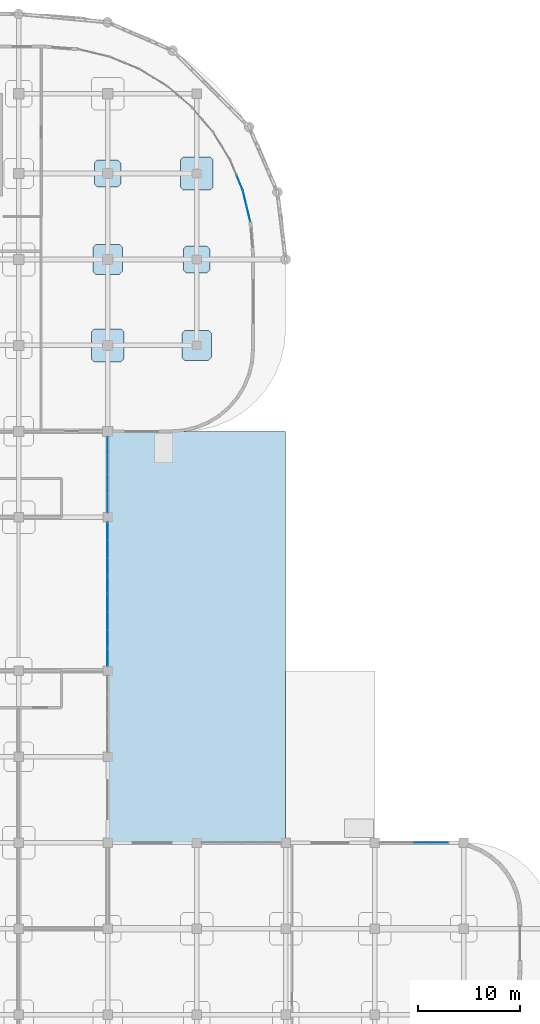
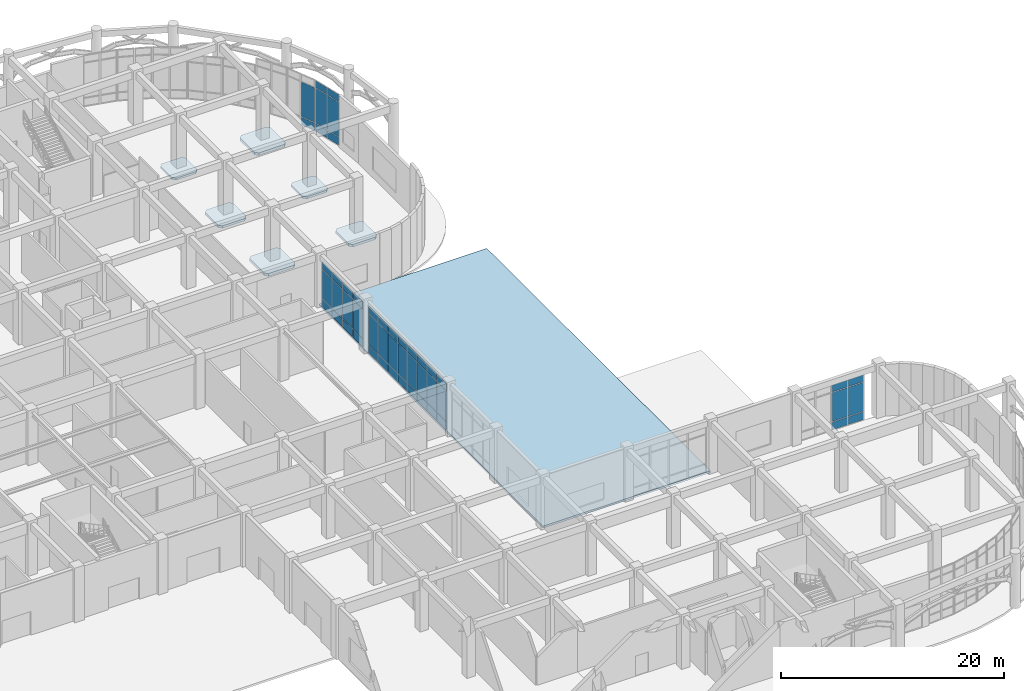
# One storey, part 58 of 82: 50 plates, 7 slabs, 6 elements without a shape of their own.
"""IFC4 building model written with IfcOpenShell, lengths in metres."""

from ifc_helpers import new_model, si_unit, derived_unit, direction, frame, origin, origin_2d, place, context, subcontext, project, spatial, polyline, rectangle, outline, extrude, material, layer, layer_set, type_object, element, aggregate, save


model = new_model("IFC4")

# Units and contexts
model_context = context("Model", 3, precision=1e-05, world=origin(), true_north=direction((0.0, 1.0)))
body_context = subcontext(model_context, "Body", "Model", "MODEL_VIEW")
ifc_project = project(units=[si_unit("LENGTHUNIT", "METRE"), si_unit("AREAUNIT", "SQUARE_METRE"), si_unit("VOLUMEUNIT", "CUBIC_METRE"), si_unit("PLANEANGLEUNIT", "RADIAN"), si_unit("MASSUNIT", "GRAM", prefix="KILO"), derived_unit("THERMALTRANSMITTANCEUNIT", [(si_unit("MASSUNIT", "GRAM", prefix="KILO"), 1), (si_unit("TIMEUNIT", "SECOND"), -3), (si_unit("THERMODYNAMICTEMPERATUREUNIT", "KELVIN"), -1)])], contexts=[model_context])

# Site, building, storey
site_placement = place(None, origin())
site = spatial("IfcSite", under=ifc_project, at=site_placement, CompositionType="ELEMENT")
building_placement = place(site_placement, origin())
building = spatial("IfcBuilding", under=site, at=building_placement, Name="Qinzheling Arcade Emporium", CompositionType="ELEMENT")
storey_placement = place(building_placement, origin())
storey = spatial("IfcBuildingStorey", under=building, at=storey_placement, Name="L01", CompositionType="ELEMENT", Elevation=0.0)

# Slabs
ifc_material_1 = material(Name="Concrete C40", Category="concrete")
ifc_layer_1 = layer(ifc_material_1, 0.235107421875, Name="Concrete C40", Category="concrete")
ifc_layer_set_1 = layer_set([ifc_layer_1], Name="Concrete C40")
slab_type_1 = type_object("IfcSlabType", Name="Column Head Drop Panel 2600x2600x235 C40", PredefinedType="USERDEFINED", material=ifc_layer_set_1)
slab_1_placement = place(storey_placement, frame((0.0, 0.0, -0.574951171875)))
element("IfcSlab", 1, at=slab_1_placement, inside=storey, type_object=slab_type_1, Name="Column Drop Panel DP-L01-16-M", ObjectType="DROP_PANEL", PredefinedType="USERDEFINED", context=body_context, shape_type="SweptSolid", body=[
    extrude(outline(polyline([(129.47998046875, 97.699951171875), (131.52001953125, 97.699951171875), (131.800048828125, 97.97998046875), (131.800048828125, 100.02001953125), (131.52001953125, 100.300048828125), (129.47998046875, 100.300048828125), (129.199951171875, 100.02001953125), (129.199951171875, 97.97998046875), (129.47998046875, 97.699951171875)])), origin(), (0.0, 0.0, 1.0), 0.23486328125),
])
slab_2_placement = place(storey_placement, frame((0.0, 0.0, -0.574951171875)))
element("IfcSlab", 2, at=slab_2_placement, inside=storey, type_object=slab_type_1, Name="Column Drop Panel DP-L01-17-L", ObjectType="DROP_PANEL", PredefinedType="USERDEFINED", context=body_context, shape_type="SweptSolid", body=[
    extrude(outline(polyline([(138.179931640625, 89.300048828125), (140.219970703125, 89.300048828125), (140.5, 89.580078125), (140.5, 91.6201171875), (140.219970703125, 91.89990234375), (138.179931640625, 91.89990234375), (137.89990234375, 91.6201171875), (137.89990234375, 89.580078125), (138.179931640625, 89.300048828125)])), origin(), (0.0, 0.0, 1.0), 0.23486328125),
])
ifc_layer_2 = layer(ifc_material_1, 0.27001953125, Name="Concrete C40", Category="concrete")
ifc_layer_set_2 = layer_set([ifc_layer_2], Name="Concrete C40")
slab_type_2 = type_object("IfcSlabType", Name="Column Head Drop Panel 2900x2900x270 C40", PredefinedType="USERDEFINED", material=ifc_layer_set_2)
slab_3_placement = place(storey_placement, frame((0.0, 0.0, -0.610107421875)))
element("IfcSlab", 3, at=slab_3_placement, inside=storey, type_object=slab_type_2, Name="Column Drop Panel DP-L01-16-L", ObjectType="DROP_PANEL", PredefinedType="USERDEFINED", context=body_context, shape_type="SweptSolid", body=[
    extrude(outline(polyline([(129.330078125, 89.14990234375), (131.669921875, 89.14990234375), (131.949951171875, 89.429931640625), (131.949951171875, 91.77001953125), (131.669921875, 92.050048828125), (129.330078125, 92.050048828125), (129.050048828125, 91.77001953125), (129.050048828125, 89.429931640625), (129.330078125, 89.14990234375)])), origin(), (0.0, 0.0, 1.0), 0.27001953125),
])
slab_4_placement = place(storey_placement, frame((0.0, 0.0, -0.610107421875)))
element("IfcSlab", 4, at=slab_4_placement, inside=storey, type_object=slab_type_2, Name="Column Drop Panel DP-L01-17-K", ObjectType="DROP_PANEL", PredefinedType="USERDEFINED", context=body_context, shape_type="SweptSolid", body=[
    extrude(outline(polyline([(138.030029296875, 80.75), (140.3701171875, 80.75), (140.64990234375, 81.030029296875), (140.64990234375, 83.3701171875), (140.3701171875, 83.64990234375), (138.030029296875, 83.64990234375), (137.75, 83.3701171875), (137.75, 81.030029296875), (138.030029296875, 80.75)])), origin(), (0.0, 0.0, 1.0), 0.27001953125),
])
ifc_layer_3 = layer(ifc_material_1, 0.300048828125, Name="Concrete C40", Category="concrete")
ifc_layer_set_3 = layer_set([ifc_layer_3], Name="Concrete C40")
slab_type_3 = type_object("IfcSlabType", Name="Column Head Drop Panel 3200x3200x300 C40", PredefinedType="USERDEFINED", material=ifc_layer_set_3)
slab_5_placement = place(storey_placement, frame((0.0, 0.0, -0.639892578125)))
element("IfcSlab", 5, at=slab_5_placement, inside=storey, type_object=slab_type_3, Name="Column Drop Panel DP-L01-16-K", ObjectType="DROP_PANEL", PredefinedType="USERDEFINED", context=body_context, shape_type="SweptSolid", body=[
    extrude(outline(polyline([(129.179931640625, 80.60009765625), (131.820068359375, 80.60009765625), (132.10009765625, 80.8798828125), (132.10009765625, 83.52001953125), (131.820068359375, 83.800048828125), (129.179931640625, 83.800048828125), (128.89990234375, 83.52001953125), (128.89990234375, 80.8798828125), (129.179931640625, 80.60009765625)])), origin(), (0.0, 0.0, 1.0), 0.2998046875),
])
slab_6_placement = place(storey_placement, frame((0.0, 0.0, -0.639892578125)))
element("IfcSlab", 6, at=slab_6_placement, inside=storey, type_object=slab_type_3, Name="Column Drop Panel DP-L01-17-M", ObjectType="DROP_PANEL", PredefinedType="USERDEFINED", context=body_context, shape_type="SweptSolid", body=[
    extrude(outline(polyline([(137.8798828125, 97.39990234375), (140.52001953125, 97.39990234375), (140.800048828125, 97.679931640625), (140.800048828125, 100.320068359375), (140.52001953125, 100.60009765625), (137.8798828125, 100.60009765625), (137.60009765625, 100.320068359375), (137.60009765625, 97.679931640625), (137.8798828125, 97.39990234375)])), origin(), (0.0, 0.0, 1.0), 0.2998046875),
])
ifc_layer_4 = layer(ifc_material_1, 0.219970703125, Name="Concrete C40", Category="concrete")
ifc_layer_set_4 = layer_set([ifc_layer_4], Name="Concrete C40")
slab_type_4 = type_object("IfcSlabType", Name="Exterior Entry Driveway Paving Slab 220 C40", PredefinedType="FLOOR", material=ifc_layer_set_4)
slab_7_placement = place(storey_placement, frame((0.0, 0.0, -0.219970703125)))
element("IfcSlab", 7, at=slab_7_placement, inside=storey, type_object=slab_type_4, Name="Arcade and Court Paving SLB-L01-COURT-E-ARCADE", PredefinedType="FLOOR", context=body_context, shape_type="SweptSolid", body=[
    extrude(outline(polyline([(147.89990234375, 33.60009765625), (147.89990234375, 73.800048828125), (130.5, 73.800048828125), (130.5, 33.60009765625), (147.89990234375, 33.60009765625)])), origin(), (0.0, 0.0, 1.0), 0.219970703125),
])

# Curtain wall, plates
ifc_material_2 = material(Name="Anodised aluminium and solar-control double glazing", Category="aluminium")
ifc_layer_5 = layer(ifc_material_2, 0.159912109375, Name="Anodised aluminium and solar-control double glazing", Category="aluminium")
ifc_layer_set_5 = layer_set([ifc_layer_5], Name="Anodised aluminium and solar-control double glazing")
curtain_wall_type_1 = type_object("IfcCurtainWallType", Name="Food Hall Loggia Curtain Wall", PredefinedType="NOTDEFINED", material=ifc_layer_set_5)
curtain_wall_1_placement = place(storey_placement, origin())
curtain_wall_1 = element("IfcCurtainWall", 8, at=curtain_wall_1_placement, inside=storey, type_object=curtain_wall_type_1, Name="Curtain Wall CW-L01-048", PredefinedType="NOTDEFINED")
ifc_material_3 = material(Name="Laminated solar-control double glazing", Category="glass")
ifc_layer_6 = layer(ifc_material_3, 0.02099609375, Name="Laminated solar-control double glazing", Category="glass")
ifc_layer_set_6 = layer_set([ifc_layer_6], Name="Laminated solar-control double glazing")
plate_type_1 = type_object("IfcPlateType", Name="Low-E Double Glazed Curtain Panel 21mm", PredefinedType="CURTAIN_PANEL", material=ifc_layer_set_6)
plate_1_placement = place(storey_placement, frame((161.26953125, 33.60009765625, 0.06005859375), z_axis=(0.0, 0.0, 1.0), x_axis=(1.0, 0.0, 0.0)))
plate_1 = element("IfcPlate", 9, at=plate_1_placement, type_object=plate_type_1, Name="CW04 panel 3.1", PredefinedType="CURTAIN_PANEL", context=body_context, shape_type="SweptSolid", body=[
    extrude(rectangle(XDim=1.626953125, YDim=0.02099609375, at=origin_2d()), origin(), (0.0, 0.0, 1.0), 0.860107421875),
])
plate_2_placement = place(storey_placement, frame((161.26953125, 33.60009765625, 0.97998046875), z_axis=(0.0, 0.0, 1.0), x_axis=(1.0, 0.0, 0.0)))
plate_2 = element("IfcPlate", 10, at=plate_2_placement, type_object=plate_type_1, Name="CW04 panel 3.2", PredefinedType="CURTAIN_PANEL", context=body_context, shape_type="SweptSolid", body=[
    extrude(rectangle(XDim=1.626953125, YDim=0.02099609375, at=origin_2d()), origin(), (0.0, 0.0, 1.0), 3.179931640625),
])
plate_3_placement = place(storey_placement, frame((161.26953125, 33.60009765625, 4.22021484375), z_axis=(0.0, 0.0, 1.0), x_axis=(1.0, 0.0, 0.0)))
plate_3 = element("IfcPlate", 11, at=plate_3_placement, type_object=plate_type_1, Name="CW04 panel 3.3", PredefinedType="CURTAIN_PANEL", context=body_context, shape_type="SweptSolid", body=[
    extrude(rectangle(XDim=1.626953125, YDim=0.02099609375, at=origin_2d()), origin(), (0.0, 0.0, 1.0), 0.760009765625),
])
plate_4_placement = place(storey_placement, frame((162.94140625, 33.60009765625, 0.06005859375), z_axis=(0.0, 0.0, 1.0), x_axis=(1.0, 0.0, 0.0)))
plate_4 = element("IfcPlate", 12, at=plate_4_placement, type_object=plate_type_1, Name="CW04 panel 4.1", PredefinedType="CURTAIN_PANEL", context=body_context, shape_type="SweptSolid", body=[
    extrude(rectangle(XDim=1.596923828125, YDim=0.02099609375, at=origin_2d()), origin(), (0.0, 0.0, 1.0), 0.860107421875),
])
plate_5_placement = place(storey_placement, frame((162.94140625, 33.60009765625, 0.97998046875), z_axis=(0.0, 0.0, 1.0), x_axis=(1.0, 0.0, 0.0)))
plate_5 = element("IfcPlate", 13, at=plate_5_placement, type_object=plate_type_1, Name="CW04 panel 4.2", PredefinedType="CURTAIN_PANEL", context=body_context, shape_type="SweptSolid", body=[
    extrude(rectangle(XDim=1.596923828125, YDim=0.02099609375, at=origin_2d()), origin(), (0.0, 0.0, 1.0), 3.179931640625),
])
plate_6_placement = place(storey_placement, frame((162.94140625, 33.60009765625, 4.22021484375), z_axis=(0.0, 0.0, 1.0), x_axis=(1.0, 0.0, 0.0)))
plate_6 = element("IfcPlate", 14, at=plate_6_placement, type_object=plate_type_1, Name="CW04 panel 4.3", PredefinedType="CURTAIN_PANEL", context=body_context, shape_type="SweptSolid", body=[
    extrude(rectangle(XDim=1.596923828125, YDim=0.02099609375, at=origin_2d()), origin(), (0.0, 0.0, 1.0), 0.760009765625),
])
aggregate(curtain_wall_1, [plate_1, plate_2, plate_3, plate_4, plate_5, plate_6])

ifc_layer_7 = layer(ifc_material_2, 0.159912109375, Name="Anodised aluminium and solar-control double glazing", Category="aluminium")
ifc_layer_set_7 = layer_set([ifc_layer_7], Name="Anodised aluminium and solar-control double glazing")
curtain_wall_type_2 = type_object("IfcCurtainWallType", Name="Curved Ribbon Sales Curtain Wall", PredefinedType="NOTDEFINED", material=ifc_layer_set_7)
curtain_wall_2_placement = place(storey_placement, origin())
curtain_wall_2 = element("IfcCurtainWall", 15, at=curtain_wall_2_placement, inside=storey, type_object=curtain_wall_type_2, Name="Curtain Wall CW-L01-041", PredefinedType="NOTDEFINED")
ifc_layer_8 = layer(ifc_material_3, 0.031005859375, Name="Laminated solar-control double glazing", Category="glass")
ifc_layer_set_8 = layer_set([ifc_layer_8], Name="Laminated solar-control double glazing")
plate_type_2 = type_object("IfcPlateType", Name="Low-E Double Glazed Curtain Panel 31mm", PredefinedType="CURTAIN_PANEL", material=ifc_layer_set_8)
plate_7_placement = place(storey_placement, frame((143.3955078125, 98.12255859375, 0.06005859375), z_axis=(0.0, 0.0, 1.0), x_axis=(0.382675256043, -0.923882919212, 0.0)))
plate_7 = element("IfcPlate", 16, at=plate_7_placement, type_object=plate_type_2, Name="CW02 panel 2.1", PredefinedType="CURTAIN_PANEL", context=body_context, shape_type="SweptSolid", body=[
    extrude(rectangle(XDim=1.502685546875, YDim=0.031005859375, at=origin_2d()), origin(), (0.0, 0.0, 1.0), 0.860107421875),
])
plate_8_placement = place(storey_placement, frame((143.3955078125, 98.12255859375, 0.97998046875), z_axis=(0.0, 0.0, 1.0), x_axis=(0.382675256043, -0.923882919212, 0.0)))
plate_8 = element("IfcPlate", 17, at=plate_8_placement, type_object=plate_type_2, Name="CW02 panel 2.2", PredefinedType="CURTAIN_PANEL", context=body_context, shape_type="SweptSolid", body=[
    extrude(rectangle(XDim=1.502685546875, YDim=0.031005859375, at=origin_2d()), origin(), (0.0, 0.0, 1.0), 3.800048828125),
])
aggregate(curtain_wall_2, [plate_7, plate_8])

curtain_wall_3_placement = place(storey_placement, origin())
curtain_wall_3 = element("IfcCurtainWall", 18, at=curtain_wall_3_placement, inside=storey, type_object=curtain_wall_type_2, Name="Curtain Wall CW-L01-042", PredefinedType="NOTDEFINED")
ifc_layer_9 = layer(ifc_material_3, 0.031982421875, Name="Laminated solar-control double glazing", Category="glass")
ifc_layer_set_9 = layer_set([ifc_layer_9], Name="Laminated solar-control double glazing")
plate_type_3 = type_object("IfcPlateType", Name="Low-E Double Glazed Curtain Panel 32mm", PredefinedType="CURTAIN_PANEL", material=ifc_layer_set_9)
plate_9_placement = place(storey_placement, frame((143.8955078125, 96.584228515625, 0.06005859375), z_axis=(0.0, 0.0, 1.0), x_axis=(0.233586687032, -0.972335980843, 0.0)))
plate_9 = element("IfcPlate", 19, at=plate_9_placement, type_object=plate_type_3, Name="CW02 panel 1.1", PredefinedType="CURTAIN_PANEL", context=body_context, shape_type="SweptSolid", body=[
    extrude(rectangle(XDim=1.50244140625, YDim=0.031982421875, at=origin_2d()), origin(), (0.0, 0.0, 1.0), 0.860107421875),
])
plate_10_placement = place(storey_placement, frame((143.8955078125, 96.584228515625, 0.97998046875), z_axis=(0.0, 0.0, 1.0), x_axis=(0.233586687032, -0.972335980843, 0.0)))
plate_10 = element("IfcPlate", 20, at=plate_10_placement, type_object=plate_type_3, Name="CW02 panel 1.2", PredefinedType="CURTAIN_PANEL", context=body_context, shape_type="SweptSolid", body=[
    extrude(rectangle(XDim=1.50244140625, YDim=0.031982421875, at=origin_2d()), origin(), (0.0, 0.0, 1.0), 3.800048828125),
])
plate_11_placement = place(storey_placement, frame((143.8955078125, 96.584228515625, 4.83984375), z_axis=(0.0, 0.0, 1.0), x_axis=(0.233586687032, -0.972335980843, 0.0)))
plate_11 = element("IfcPlate", 21, at=plate_11_placement, type_object=plate_type_3, Name="CW02 panel 1.3", PredefinedType="CURTAIN_PANEL", context=body_context, shape_type="SweptSolid", body=[
    extrude(rectangle(XDim=1.50244140625, YDim=0.031982421875, at=origin_2d()), origin(), (0.0, 0.0, 1.0), 0.760009765625),
])
plate_12_placement = place(storey_placement, frame((144.260498046875, 95.06494140625, 0.06005859375), z_axis=(0.0, 0.0, 1.0), x_axis=(0.233586687032, -0.972335980843, 0.0)))
plate_12 = element("IfcPlate", 22, at=plate_12_placement, type_object=plate_type_3, Name="CW02 panel 2.1", PredefinedType="CURTAIN_PANEL", context=body_context, shape_type="SweptSolid", body=[
    extrude(rectangle(XDim=1.50244140625, YDim=0.031982421875, at=origin_2d()), origin(), (0.0, 0.0, 1.0), 0.860107421875),
])
plate_13_placement = place(storey_placement, frame((144.260498046875, 95.06494140625, 0.97998046875), z_axis=(0.0, 0.0, 1.0), x_axis=(0.233586687032, -0.972335980843, 0.0)))
plate_13 = element("IfcPlate", 23, at=plate_13_placement, type_object=plate_type_3, Name="CW02 panel 2.2", PredefinedType="CURTAIN_PANEL", context=body_context, shape_type="SweptSolid", body=[
    extrude(rectangle(XDim=1.50244140625, YDim=0.031982421875, at=origin_2d()), origin(), (0.0, 0.0, 1.0), 3.800048828125),
])
plate_14_placement = place(storey_placement, frame((144.260498046875, 95.06494140625, 4.83984375), z_axis=(0.0, 0.0, 1.0), x_axis=(0.233586687032, -0.972335980843, 0.0)))
plate_14 = element("IfcPlate", 24, at=plate_14_placement, type_object=plate_type_3, Name="CW02 panel 2.3", PredefinedType="CURTAIN_PANEL", context=body_context, shape_type="SweptSolid", body=[
    extrude(rectangle(XDim=1.50244140625, YDim=0.031982421875, at=origin_2d()), origin(), (0.0, 0.0, 1.0), 0.760009765625),
])
aggregate(curtain_wall_3, [plate_9, plate_10, plate_11, plate_12, plate_13, plate_14])

ifc_layer_10 = layer(ifc_material_2, 0.159912109375, Name="Anodised aluminium and solar-control double glazing", Category="aluminium")
ifc_layer_set_10 = layer_set([ifc_layer_10], Name="Anodised aluminium and solar-control double glazing")
curtain_wall_type_3 = type_object("IfcCurtainWallType", Name="Street Arcade Stick Curtain Wall", PredefinedType="NOTDEFINED", material=ifc_layer_set_10)
curtain_wall_4_placement = place(storey_placement, origin())
curtain_wall_4 = element("IfcCurtainWall", 25, at=curtain_wall_4_placement, inside=storey, type_object=curtain_wall_type_3, Name="Curtain Wall CW-L01-043", PredefinedType="NOTDEFINED")
ifc_layer_11 = layer(ifc_material_3, 0.033935546875, Name="Laminated solar-control double glazing", Category="glass")
ifc_layer_set_11 = layer_set([ifc_layer_11], Name="Laminated solar-control double glazing")
plate_type_4 = type_object("IfcPlateType", Name="Low-E Double Glazed Curtain Panel 34mm", PredefinedType="CURTAIN_PANEL", material=ifc_layer_set_11)
plate_15_placement = place(storey_placement, frame((130.5, 72.352294921875, 0.06005859375), z_axis=(0.0, 0.0, 1.0), x_axis=(0.0, -1.0, 0.0)))
plate_15 = element("IfcPlate", 26, at=plate_15_placement, type_object=plate_type_4, Name="CW01 panel 1.1", PredefinedType="CURTAIN_PANEL", context=body_context, shape_type="SweptSolid", body=[
    extrude(rectangle(XDim=1.771484375, YDim=0.033935546875, at=origin_2d()), origin(), (0.0, 0.0, 1.0), 0.860107421875),
])
plate_16_placement = place(storey_placement, frame((130.5, 72.352294921875, 0.97998046875), z_axis=(0.0, 0.0, 1.0), x_axis=(0.0, -1.0, 0.0)))
plate_16 = element("IfcPlate", 27, at=plate_16_placement, type_object=plate_type_4, Name="CW01 panel 1.2", PredefinedType="CURTAIN_PANEL", context=body_context, shape_type="SweptSolid", body=[
    extrude(rectangle(XDim=1.771484375, YDim=0.033935546875, at=origin_2d()), origin(), (0.0, 0.0, 1.0), 3.195068359375),
])
plate_17_placement = place(storey_placement, frame((130.5, 72.352294921875, 4.23486328125), z_axis=(0.0, 0.0, 1.0), x_axis=(0.0, -1.0, 0.0)))
plate_17 = element("IfcPlate", 28, at=plate_17_placement, type_object=plate_type_4, Name="CW01 panel 1.3", PredefinedType="CURTAIN_PANEL", context=body_context, shape_type="SweptSolid", body=[
    extrude(rectangle(XDim=1.771484375, YDim=0.033935546875, at=origin_2d()), origin(), (0.0, 0.0, 1.0), 0.760009765625),
])
plate_18_placement = place(storey_placement, frame((130.5, 70.505859375, 0.06005859375), z_axis=(0.0, 0.0, 1.0), x_axis=(0.0, -1.0, 0.0)))
plate_18 = element("IfcPlate", 29, at=plate_18_placement, type_object=plate_type_4, Name="CW01 panel 2.1", PredefinedType="CURTAIN_PANEL", context=body_context, shape_type="SweptSolid", body=[
    extrude(rectangle(XDim=1.801513671875, YDim=0.033935546875, at=origin_2d()), origin(), (0.0, 0.0, 1.0), 0.860107421875),
])
plate_19_placement = place(storey_placement, frame((130.5, 70.505859375, 0.97998046875), z_axis=(0.0, 0.0, 1.0), x_axis=(0.0, -1.0, 0.0)))
plate_19 = element("IfcPlate", 30, at=plate_19_placement, type_object=plate_type_4, Name="CW01 panel 2.2", PredefinedType="CURTAIN_PANEL", context=body_context, shape_type="SweptSolid", body=[
    extrude(rectangle(XDim=1.801513671875, YDim=0.033935546875, at=origin_2d()), origin(), (0.0, 0.0, 1.0), 3.195068359375),
])
plate_20_placement = place(storey_placement, frame((130.5, 70.505859375, 4.23486328125), z_axis=(0.0, 0.0, 1.0), x_axis=(0.0, -1.0, 0.0)))
plate_20 = element("IfcPlate", 31, at=plate_20_placement, type_object=plate_type_4, Name="CW01 panel 2.3", PredefinedType="CURTAIN_PANEL", context=body_context, shape_type="SweptSolid", body=[
    extrude(rectangle(XDim=1.801513671875, YDim=0.033935546875, at=origin_2d()), origin(), (0.0, 0.0, 1.0), 0.760009765625),
])
plate_21_placement = place(storey_placement, frame((130.5, 68.644287109375, 0.06005859375), z_axis=(0.0, 0.0, 1.0), x_axis=(0.0, -1.0, 0.0)))
plate_21 = element("IfcPlate", 32, at=plate_21_placement, type_object=plate_type_4, Name="CW01 panel 3.1", PredefinedType="CURTAIN_PANEL", context=body_context, shape_type="SweptSolid", body=[
    extrude(rectangle(XDim=1.801513671875, YDim=0.033935546875, at=origin_2d()), origin(), (0.0, 0.0, 1.0), 0.860107421875),
])
plate_22_placement = place(storey_placement, frame((130.5, 68.644287109375, 0.97998046875), z_axis=(0.0, 0.0, 1.0), x_axis=(0.0, -1.0, 0.0)))
plate_22 = element("IfcPlate", 33, at=plate_22_placement, type_object=plate_type_4, Name="CW01 panel 3.2", PredefinedType="CURTAIN_PANEL", context=body_context, shape_type="SweptSolid", body=[
    extrude(rectangle(XDim=1.801513671875, YDim=0.033935546875, at=origin_2d()), origin(), (0.0, 0.0, 1.0), 3.195068359375),
])
plate_23_placement = place(storey_placement, frame((130.5, 68.644287109375, 4.23486328125), z_axis=(0.0, 0.0, 1.0), x_axis=(0.0, -1.0, 0.0)))
plate_23 = element("IfcPlate", 34, at=plate_23_placement, type_object=plate_type_4, Name="CW01 panel 3.3", PredefinedType="CURTAIN_PANEL", context=body_context, shape_type="SweptSolid", body=[
    extrude(rectangle(XDim=1.801513671875, YDim=0.033935546875, at=origin_2d()), origin(), (0.0, 0.0, 1.0), 0.760009765625),
])
plate_24_placement = place(storey_placement, frame((130.5, 66.7978515625, 0.06005859375), z_axis=(0.0, 0.0, 1.0), x_axis=(0.0, -1.0, 0.0)))
plate_24 = element("IfcPlate", 35, at=plate_24_placement, type_object=plate_type_4, Name="CW01 panel 4.1", PredefinedType="CURTAIN_PANEL", context=body_context, shape_type="SweptSolid", body=[
    extrude(rectangle(XDim=1.771484375, YDim=0.033935546875, at=origin_2d()), origin(), (0.0, 0.0, 1.0), 0.860107421875),
])
plate_25_placement = place(storey_placement, frame((130.5, 66.7978515625, 0.97998046875), z_axis=(0.0, 0.0, 1.0), x_axis=(0.0, -1.0, 0.0)))
plate_25 = element("IfcPlate", 36, at=plate_25_placement, type_object=plate_type_4, Name="CW01 panel 4.2", PredefinedType="CURTAIN_PANEL", context=body_context, shape_type="SweptSolid", body=[
    extrude(rectangle(XDim=1.771484375, YDim=0.033935546875, at=origin_2d()), origin(), (0.0, 0.0, 1.0), 3.195068359375),
])
plate_26_placement = place(storey_placement, frame((130.5, 66.7978515625, 4.23486328125), z_axis=(0.0, 0.0, 1.0), x_axis=(0.0, -1.0, 0.0)))
plate_26 = element("IfcPlate", 37, at=plate_26_placement, type_object=plate_type_4, Name="CW01 panel 4.3", PredefinedType="CURTAIN_PANEL", context=body_context, shape_type="SweptSolid", body=[
    extrude(rectangle(XDim=1.771484375, YDim=0.033935546875, at=origin_2d()), origin(), (0.0, 0.0, 1.0), 0.760009765625),
])
aggregate(curtain_wall_4, [plate_15, plate_16, plate_17, plate_18, plate_19, plate_20, plate_21, plate_22, plate_23, plate_24, plate_25, plate_26])

curtain_wall_5_placement = place(storey_placement, origin())
curtain_wall_5 = element("IfcCurtainWall", 38, at=curtain_wall_5_placement, inside=storey, type_object=curtain_wall_type_3, Name="Curtain Wall CW-L01-044", PredefinedType="NOTDEFINED")
ifc_layer_12 = layer(ifc_material_3, 0.035888671875, Name="Laminated solar-control double glazing", Category="glass")
ifc_layer_set_12 = layer_set([ifc_layer_12], Name="Laminated solar-control double glazing")
plate_type_5 = type_object("IfcPlateType", Name="Low-E Double Glazed Curtain Panel 36mm", PredefinedType="CURTAIN_PANEL", material=ifc_layer_set_12)
plate_27_placement = place(storey_placement, frame((130.5, 64.05224609375, 0.06005859375), z_axis=(0.0, 0.0, 1.0), x_axis=(0.0, -1.0, 0.0)))
plate_27 = element("IfcPlate", 39, at=plate_27_placement, type_object=plate_type_5, Name="CW01 panel 1.1", PredefinedType="CURTAIN_PANEL", context=body_context, shape_type="SweptSolid", body=[
    extrude(rectangle(XDim=1.67138671875, YDim=0.035888671875, at=origin_2d()), origin(), (0.0, 0.0, 1.0), 0.860107421875),
])
plate_28_placement = place(storey_placement, frame((130.5, 64.05224609375, 0.97998046875), z_axis=(0.0, 0.0, 1.0), x_axis=(0.0, -1.0, 0.0)))
plate_28 = element("IfcPlate", 40, at=plate_28_placement, type_object=plate_type_5, Name="CW01 panel 1.2", PredefinedType="CURTAIN_PANEL", context=body_context, shape_type="SweptSolid", body=[
    extrude(rectangle(XDim=1.67138671875, YDim=0.035888671875, at=origin_2d()), origin(), (0.0, 0.0, 1.0), 3.35693359375),
])
plate_29_placement = place(storey_placement, frame((130.5, 64.05224609375, 4.39697265625), z_axis=(0.0, 0.0, 1.0), x_axis=(0.0, -1.0, 0.0)))
plate_29 = element("IfcPlate", 41, at=plate_29_placement, type_object=plate_type_5, Name="CW01 panel 1.3", PredefinedType="CURTAIN_PANEL", context=body_context, shape_type="SweptSolid", body=[
    extrude(rectangle(XDim=1.67138671875, YDim=0.035888671875, at=origin_2d()), origin(), (0.0, 0.0, 1.0), 0.760009765625),
])
plate_30_placement = place(storey_placement, frame((130.5, 62.3056640625, 0.06005859375), z_axis=(0.0, 0.0, 1.0), x_axis=(0.0, -1.0, 0.0)))
plate_30 = element("IfcPlate", 42, at=plate_30_placement, type_object=plate_type_5, Name="CW01 panel 2.1", PredefinedType="CURTAIN_PANEL", context=body_context, shape_type="SweptSolid", body=[
    extrude(rectangle(XDim=1.701416015625, YDim=0.035888671875, at=origin_2d()), origin(), (0.0, 0.0, 1.0), 0.860107421875),
])
plate_31_placement = place(storey_placement, frame((130.5, 62.3056640625, 0.97998046875), z_axis=(0.0, 0.0, 1.0), x_axis=(0.0, -1.0, 0.0)))
plate_31 = element("IfcPlate", 43, at=plate_31_placement, type_object=plate_type_5, Name="CW01 panel 2.2", PredefinedType="CURTAIN_PANEL", context=body_context, shape_type="SweptSolid", body=[
    extrude(rectangle(XDim=1.701416015625, YDim=0.035888671875, at=origin_2d()), origin(), (0.0, 0.0, 1.0), 3.35693359375),
])
plate_32_placement = place(storey_placement, frame((130.5, 62.3056640625, 4.39697265625), z_axis=(0.0, 0.0, 1.0), x_axis=(0.0, -1.0, 0.0)))
plate_32 = element("IfcPlate", 44, at=plate_32_placement, type_object=plate_type_5, Name="CW01 panel 2.3", PredefinedType="CURTAIN_PANEL", context=body_context, shape_type="SweptSolid", body=[
    extrude(rectangle(XDim=1.701416015625, YDim=0.035888671875, at=origin_2d()), origin(), (0.0, 0.0, 1.0), 0.760009765625),
])
plate_33_placement = place(storey_placement, frame((130.5, 60.544189453125, 0.06005859375), z_axis=(0.0, 0.0, 1.0), x_axis=(0.0, -1.0, 0.0)))
plate_33 = element("IfcPlate", 45, at=plate_33_placement, type_object=plate_type_5, Name="CW01 panel 3.1", PredefinedType="CURTAIN_PANEL", context=body_context, shape_type="SweptSolid", body=[
    extrude(rectangle(XDim=1.701416015625, YDim=0.035888671875, at=origin_2d()), origin(), (0.0, 0.0, 1.0), 0.860107421875),
])
plate_34_placement = place(storey_placement, frame((130.5, 60.544189453125, 0.97998046875), z_axis=(0.0, 0.0, 1.0), x_axis=(0.0, -1.0, 0.0)))
plate_34 = element("IfcPlate", 46, at=plate_34_placement, type_object=plate_type_5, Name="CW01 panel 3.2", PredefinedType="CURTAIN_PANEL", context=body_context, shape_type="SweptSolid", body=[
    extrude(rectangle(XDim=1.701416015625, YDim=0.035888671875, at=origin_2d()), origin(), (0.0, 0.0, 1.0), 3.35693359375),
])
plate_35_placement = place(storey_placement, frame((130.5, 60.544189453125, 4.39697265625), z_axis=(0.0, 0.0, 1.0), x_axis=(0.0, -1.0, 0.0)))
plate_35 = element("IfcPlate", 47, at=plate_35_placement, type_object=plate_type_5, Name="CW01 panel 3.3", PredefinedType="CURTAIN_PANEL", context=body_context, shape_type="SweptSolid", body=[
    extrude(rectangle(XDim=1.701416015625, YDim=0.035888671875, at=origin_2d()), origin(), (0.0, 0.0, 1.0), 0.760009765625),
])
plate_36_placement = place(storey_placement, frame((130.5, 58.7978515625, 0.06005859375), z_axis=(0.0, 0.0, 1.0), x_axis=(0.0, -1.0, 0.0)))
plate_36 = element("IfcPlate", 48, at=plate_36_placement, type_object=plate_type_5, Name="CW01 panel 4.1", PredefinedType="CURTAIN_PANEL", context=body_context, shape_type="SweptSolid", body=[
    extrude(rectangle(XDim=1.67138671875, YDim=0.035888671875, at=origin_2d()), origin(), (0.0, 0.0, 1.0), 0.860107421875),
])
plate_37_placement = place(storey_placement, frame((130.5, 58.7978515625, 0.97998046875), z_axis=(0.0, 0.0, 1.0), x_axis=(0.0, -1.0, 0.0)))
plate_37 = element("IfcPlate", 49, at=plate_37_placement, type_object=plate_type_5, Name="CW01 panel 4.2", PredefinedType="CURTAIN_PANEL", context=body_context, shape_type="SweptSolid", body=[
    extrude(rectangle(XDim=1.67138671875, YDim=0.035888671875, at=origin_2d()), origin(), (0.0, 0.0, 1.0), 3.35693359375),
])
plate_38_placement = place(storey_placement, frame((130.5, 58.7978515625, 4.39697265625), z_axis=(0.0, 0.0, 1.0), x_axis=(0.0, -1.0, 0.0)))
plate_38 = element("IfcPlate", 50, at=plate_38_placement, type_object=plate_type_5, Name="CW01 panel 4.3", PredefinedType="CURTAIN_PANEL", context=body_context, shape_type="SweptSolid", body=[
    extrude(rectangle(XDim=1.67138671875, YDim=0.035888671875, at=origin_2d()), origin(), (0.0, 0.0, 1.0), 0.760009765625),
])
aggregate(curtain_wall_5, [plate_27, plate_28, plate_29, plate_30, plate_31, plate_32, plate_33, plate_34, plate_35, plate_36, plate_37, plate_38])

curtain_wall_6_placement = place(storey_placement, origin())
curtain_wall_6 = element("IfcCurtainWall", 51, at=curtain_wall_6_placement, inside=storey, type_object=curtain_wall_type_3, Name="Curtain Wall CW-L01-045", PredefinedType="NOTDEFINED")
ifc_layer_13 = layer(ifc_material_3, 0.0380859375, Name="Laminated solar-control double glazing", Category="glass")
ifc_layer_set_13 = layer_set([ifc_layer_13], Name="Laminated solar-control double glazing")
plate_type_6 = type_object("IfcPlateType", Name="Low-E Double Glazed Curtain Panel 38mm", PredefinedType="CURTAIN_PANEL", material=ifc_layer_set_13)
plate_39_placement = place(storey_placement, frame((130.5, 57.002197265625, 0.06005859375), z_axis=(0.0, 0.0, 1.0), x_axis=(0.0, -1.0, 0.0)))
plate_39 = element("IfcPlate", 52, at=plate_39_placement, type_object=plate_type_6, Name="CW01 panel 1.1", PredefinedType="CURTAIN_PANEL", context=body_context, shape_type="SweptSolid", body=[
    extrude(rectangle(XDim=1.67138671875, YDim=0.0380859375, at=origin_2d()), origin(), (0.0, 0.0, 1.0), 0.860107421875),
])
plate_40_placement = place(storey_placement, frame((130.5, 57.002197265625, 0.97998046875), z_axis=(0.0, 0.0, 1.0), x_axis=(0.0, -1.0, 0.0)))
plate_40 = element("IfcPlate", 53, at=plate_40_placement, type_object=plate_type_6, Name="CW01 panel 1.2", PredefinedType="CURTAIN_PANEL", context=body_context, shape_type="SweptSolid", body=[
    extrude(rectangle(XDim=1.67138671875, YDim=0.0380859375, at=origin_2d()), origin(), (0.0, 0.0, 1.0), 3.35693359375),
])
plate_41_placement = place(storey_placement, frame((130.5, 57.002197265625, 4.39697265625), z_axis=(0.0, 0.0, 1.0), x_axis=(0.0, -1.0, 0.0)))
plate_41 = element("IfcPlate", 54, at=plate_41_placement, type_object=plate_type_6, Name="CW01 panel 1.3", PredefinedType="CURTAIN_PANEL", context=body_context, shape_type="SweptSolid", body=[
    extrude(rectangle(XDim=1.67138671875, YDim=0.0380859375, at=origin_2d()), origin(), (0.0, 0.0, 1.0), 0.760009765625),
])
plate_42_placement = place(storey_placement, frame((130.5, 55.255859375, 0.06005859375), z_axis=(0.0, 0.0, 1.0), x_axis=(0.0, -1.0, 0.0)))
plate_42 = element("IfcPlate", 55, at=plate_42_placement, type_object=plate_type_6, Name="CW01 panel 2.1", PredefinedType="CURTAIN_PANEL", context=body_context, shape_type="SweptSolid", body=[
    extrude(rectangle(XDim=1.701416015625, YDim=0.0380859375, at=origin_2d()), origin(), (0.0, 0.0, 1.0), 0.860107421875),
])
plate_43_placement = place(storey_placement, frame((130.5, 55.255859375, 0.97998046875), z_axis=(0.0, 0.0, 1.0), x_axis=(0.0, -1.0, 0.0)))
plate_43 = element("IfcPlate", 56, at=plate_43_placement, type_object=plate_type_6, Name="CW01 panel 2.2", PredefinedType="CURTAIN_PANEL", context=body_context, shape_type="SweptSolid", body=[
    extrude(rectangle(XDim=1.701416015625, YDim=0.0380859375, at=origin_2d()), origin(), (0.0, 0.0, 1.0), 3.35693359375),
])
plate_44_placement = place(storey_placement, frame((130.5, 55.255859375, 4.39697265625), z_axis=(0.0, 0.0, 1.0), x_axis=(0.0, -1.0, 0.0)))
plate_44 = element("IfcPlate", 57, at=plate_44_placement, type_object=plate_type_6, Name="CW01 panel 2.3", PredefinedType="CURTAIN_PANEL", context=body_context, shape_type="SweptSolid", body=[
    extrude(rectangle(XDim=1.701416015625, YDim=0.0380859375, at=origin_2d()), origin(), (0.0, 0.0, 1.0), 0.760009765625),
])
plate_45_placement = place(storey_placement, frame((130.5, 53.494140625, 0.06005859375), z_axis=(0.0, 0.0, 1.0), x_axis=(0.0, -1.0, 0.0)))
plate_45 = element("IfcPlate", 58, at=plate_45_placement, type_object=plate_type_6, Name="CW01 panel 3.1", PredefinedType="CURTAIN_PANEL", context=body_context, shape_type="SweptSolid", body=[
    extrude(rectangle(XDim=1.701416015625, YDim=0.0380859375, at=origin_2d()), origin(), (0.0, 0.0, 1.0), 0.860107421875),
])
plate_46_placement = place(storey_placement, frame((130.5, 53.494140625, 0.97998046875), z_axis=(0.0, 0.0, 1.0), x_axis=(0.0, -1.0, 0.0)))
plate_46 = element("IfcPlate", 59, at=plate_46_placement, type_object=plate_type_6, Name="CW01 panel 3.2", PredefinedType="CURTAIN_PANEL", context=body_context, shape_type="SweptSolid", body=[
    extrude(rectangle(XDim=1.701416015625, YDim=0.0380859375, at=origin_2d()), origin(), (0.0, 0.0, 1.0), 3.35693359375),
])
plate_47_placement = place(storey_placement, frame((130.5, 53.494140625, 4.39697265625), z_axis=(0.0, 0.0, 1.0), x_axis=(0.0, -1.0, 0.0)))
plate_47 = element("IfcPlate", 60, at=plate_47_placement, type_object=plate_type_6, Name="CW01 panel 3.3", PredefinedType="CURTAIN_PANEL", context=body_context, shape_type="SweptSolid", body=[
    extrude(rectangle(XDim=1.701416015625, YDim=0.0380859375, at=origin_2d()), origin(), (0.0, 0.0, 1.0), 0.760009765625),
])
plate_48_placement = place(storey_placement, frame((130.5, 51.747802734375, 0.06005859375), z_axis=(0.0, 0.0, 1.0), x_axis=(0.0, -1.0, 0.0)))
plate_48 = element("IfcPlate", 61, at=plate_48_placement, type_object=plate_type_6, Name="CW01 panel 4.1", PredefinedType="CURTAIN_PANEL", context=body_context, shape_type="SweptSolid", body=[
    extrude(rectangle(XDim=1.67138671875, YDim=0.0380859375, at=origin_2d()), origin(), (0.0, 0.0, 1.0), 0.860107421875),
])
plate_49_placement = place(storey_placement, frame((130.5, 51.747802734375, 0.97998046875), z_axis=(0.0, 0.0, 1.0), x_axis=(0.0, -1.0, 0.0)))
plate_49 = element("IfcPlate", 62, at=plate_49_placement, type_object=plate_type_6, Name="CW01 panel 4.2", PredefinedType="CURTAIN_PANEL", context=body_context, shape_type="SweptSolid", body=[
    extrude(rectangle(XDim=1.67138671875, YDim=0.0380859375, at=origin_2d()), origin(), (0.0, 0.0, 1.0), 3.35693359375),
])
plate_50_placement = place(storey_placement, frame((130.5, 51.747802734375, 4.39697265625), z_axis=(0.0, 0.0, 1.0), x_axis=(0.0, -1.0, 0.0)))
plate_50 = element("IfcPlate", 63, at=plate_50_placement, type_object=plate_type_6, Name="CW01 panel 4.3", PredefinedType="CURTAIN_PANEL", context=body_context, shape_type="SweptSolid", body=[
    extrude(rectangle(XDim=1.67138671875, YDim=0.0380859375, at=origin_2d()), origin(), (0.0, 0.0, 1.0), 0.760009765625),
])
aggregate(curtain_wall_6, [plate_39, plate_40, plate_41, plate_42, plate_43, plate_44, plate_45, plate_46, plate_47, plate_48, plate_49, plate_50])

save(model, "model.ifc")
